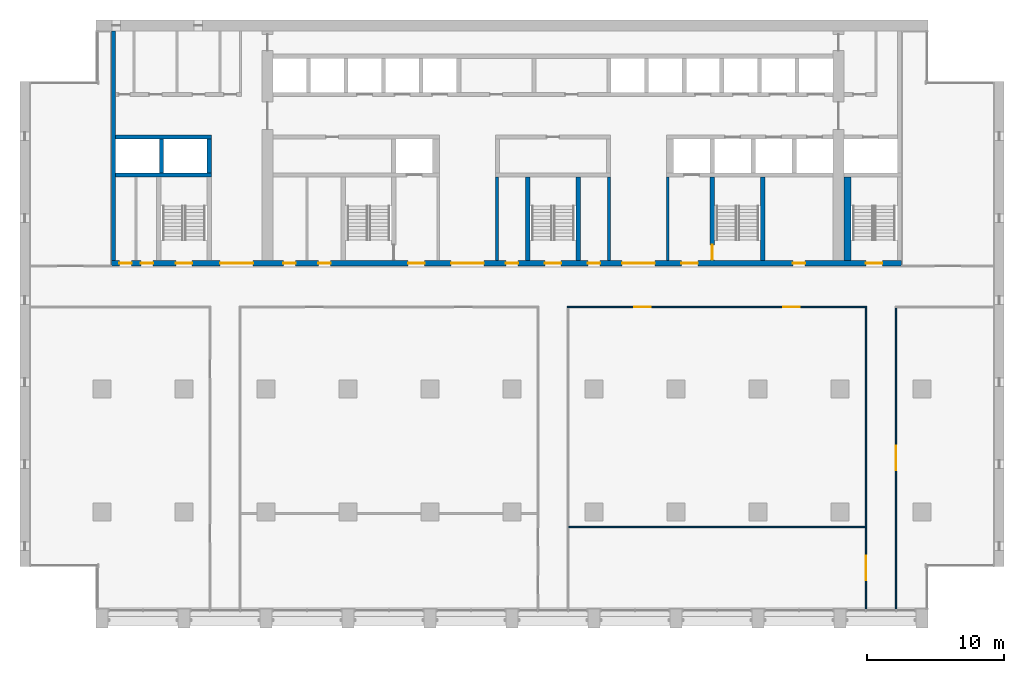
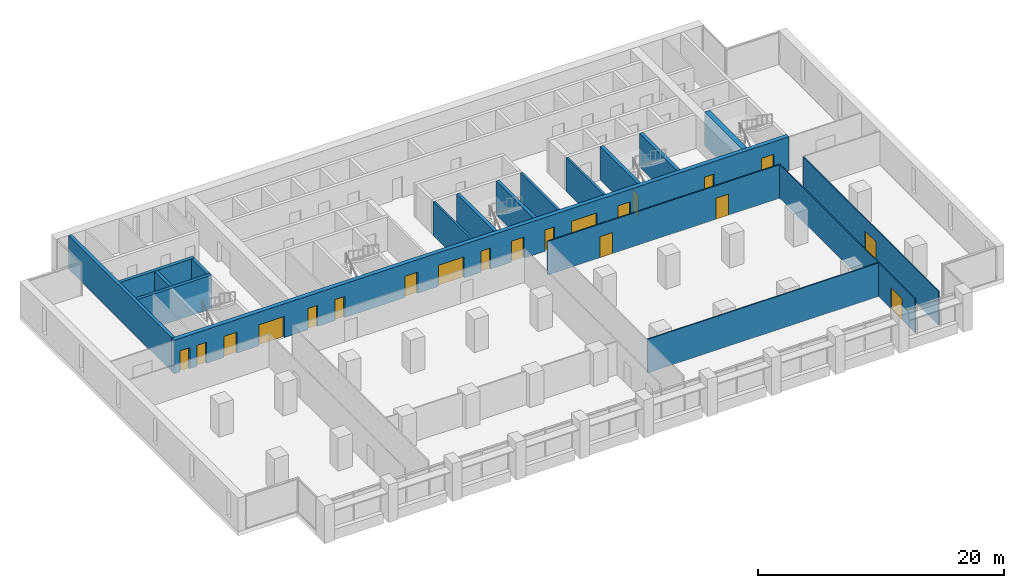
# One storey, part 9 of 15: 20 doors, 18 walls, 20 openings.
"""IFC4 building model written with IfcOpenShell, lengths in metres."""

from ifc_helpers import new_model, si_unit, direction, frame, frame_2d, origin, place, context, subcontext, project, spatial, rectangle, extrude, material, layer, layer_set, type_object, element, fill, save


model = new_model("IFC4")

# Units and contexts
model_context = context("Model", 3, precision=1e-05, world=origin(), true_north=direction((0.0, 1.0)))
body_context = subcontext(model_context, "Body", "Model", "MODEL_VIEW")
ifc_project = project(units=[si_unit("LENGTHUNIT", "METRE"), si_unit("AREAUNIT", "SQUARE_METRE"), si_unit("VOLUMEUNIT", "CUBIC_METRE"), si_unit("PLANEANGLEUNIT", "RADIAN"), si_unit("MASSUNIT", "GRAM", prefix="KILO")], contexts=[model_context])

# Site, building, storey
site_placement = place(None, origin())
site = spatial("IfcSite", under=ifc_project, at=site_placement, CompositionType="ELEMENT")
building_placement = place(site_placement, origin())
building = spatial("IfcBuilding", under=site, at=building_placement, Name="Calvaro Tower", CompositionType="ELEMENT")
storey_placement = place(building_placement, frame((0.0, 0.0, 117.5)))
storey = spatial("IfcBuildingStorey", under=building, at=storey_placement, Name="L29", CompositionType="ELEMENT", Elevation=117.5)

# Walls
ifc_material_1 = material(Name="Blockwork partition", Category="masonry")
ifc_layer_1 = layer(ifc_material_1, 0.199951171875)
ifc_layer_set_1 = layer_set([ifc_layer_1], Name="Blockwork partition")
wall_type_1 = type_object("IfcWallType", Name="Core partition 200 REI 120", PredefinedType="PARTITIONING", material=ifc_layer_set_1)
for number, where, z_axis, x_axis, name in (
    (1, (34.89990234375, 28.39990234375, 0.0), (0.0, 0.0, 1.0), (0.0, 1.0, 0.0), "Core partition"),
    (2, (43.10009765625, 28.39990234375, 0.0), (0.0, 0.0, 1.0), (0.0, 1.0, 0.0), "Core partition"),
    (3, (47.39990234375, 28.39990234375, 0.0), (0.0, 0.0, 1.0), (0.0, 1.0, 0.0), "Core partition"),
):
    element("IfcWall", number, at=place(storey_placement, frame(where, z_axis=z_axis, x_axis=x_axis)), inside=storey, type_object=wall_type_1, Name=name, PredefinedType="PARTITIONING", context=body_context, shape_type="SweptSolid", body=[
        extrude(rectangle(XDim=6.10009765625, YDim=0.199951171875, at=frame_2d((3.050048828125, 0.0))), origin(), (0.0, 0.0, 1.0), 3.35009765625),
    ])
ifc_material_2 = material(Name="Concrete C60/75", Category="concrete")
ifc_layer_2 = layer(ifc_material_2, 0.300048828125)
ifc_layer_set_2 = layer_set([ifc_layer_2], Name="Concrete C60/75")
wall_type_2 = type_object("IfcWallType", Name="Core wall C60/75 300", PredefinedType="SHEAR", material=ifc_layer_set_2)
wall_1_placement = place(storey_placement, frame((6.85009765625, 28.39990234375, 0.0), z_axis=(0.0, 0.0, 1.0), x_axis=(0.0, 1.0, 0.0)))
element("IfcWall", 4, at=wall_1_placement, inside=storey, type_object=wall_type_2, Name="Core wall, boundary", PredefinedType="SHEAR", context=body_context, shape_type="SweptSolid", body=[
    extrude(rectangle(XDim=16.800048828125, YDim=0.300048828125, at=frame_2d((8.39990234375, 0.0))), origin(), (0.0, 0.0, 1.0), 3.35009765625),
])
for number, where, z_axis, x_axis, name in (
    (5, (37.14990234375, 28.39990234375, 0.0), (0.0, 0.0, 1.0), (0.0, 1.0, 0.0), "Core wall, stair enclosure"),
    (6, (40.85009765625, 28.39990234375, 0.0), (0.0, 0.0, 1.0), (0.0, 1.0, 0.0), "Core wall, stair enclosure"),
):
    element("IfcWall", number, at=place(storey_placement, frame(where, z_axis=z_axis, x_axis=x_axis)), inside=storey, type_object=wall_type_2, Name=name, PredefinedType="SHEAR", context=body_context, shape_type="SweptSolid", body=[
        extrude(rectangle(XDim=6.10009765625, YDim=0.300048828125, at=frame_2d((3.050048828125, 0.0))), origin(), (0.0, 0.0, 1.0), 3.35009765625),
    ])

# Wall, opening, door
wall_2_placement = place(storey_placement, frame((50.64990234375, 34.5, 0.0), z_axis=(0.0, 0.0, 1.0), x_axis=(0.0, -1.0, 0.0)))
wall_2 = element("IfcWall", 7, at=wall_2_placement, inside=storey, type_object=wall_type_2, Name="Core wall, stair enclosure", PredefinedType="SHEAR", context=body_context, shape_type="SweptSolid", body=[
    extrude(rectangle(XDim=6.10009765625, YDim=0.300048828125, at=frame_2d((3.050048828125, 0.0))), origin(), (0.0, 0.0, 1.0), 3.35009765625),
])
opening_1_placement = place(wall_2_placement, frame((4.949951171875, 0.0, 0.0)))
opening_1 = element("IfcOpeningElement", 8, at=opening_1_placement, cuts=wall_2, Name="Opening FD11D", PredefinedType="OPENING", context=body_context, shape_type="SweptSolid", body=[
    extrude(rectangle(XDim=1.10009765625, YDim=2.10009765625, at=frame_2d((0.550048828125, 1.050048828125))), frame((0.0, 0.159912109375, 0.0), z_axis=(0.0, -1.0, 0.0), x_axis=(1.0, 0.0, 0.0)), (0.0, 0.0, 1.0), 0.320068359375),
])
ifc_material_3 = material(Name="Steel door set", Category="steel")
door_type_1 = type_object("IfcDoorType", Name="Fire door 1100 FD30S", OperationType="SINGLE_SWING_LEFT", PredefinedType="DOOR", material=ifc_material_3)
door_1_placement = place(opening_1_placement, origin())
door_1 = element("IfcDoor", 9, at=door_1_placement, inside=storey, type_object=door_type_1, Name="Fire door", OperationType="SINGLE_SWING_RIGHT", OverallHeight=2.10009765625, OverallWidth=1.10009765625, PredefinedType="DOOR", context=body_context, shape_type="SweptSolid", body=[
    extrude(rectangle(XDim=1.10009765625, YDim=2.10009765625, at=frame_2d((0.550048828125, 1.050048828125))), frame((0.0, 0.02490234375, 0.0), z_axis=(0.0, -1.0, 0.0), x_axis=(1.0, 0.0, 0.0)), (0.0, 0.0, 1.0), 0.050048828125),
])
fill(opening_1, door_1)

# Walls
wall_3_placement = place(storey_placement, frame((54.35009765625, 28.39990234375, 0.0), z_axis=(0.0, 0.0, 1.0), x_axis=(0.0, 1.0, 0.0)))
element("IfcWall", 10, at=wall_3_placement, inside=storey, type_object=wall_type_2, Name="Core wall, stair enclosure", PredefinedType="SHEAR", context=body_context, shape_type="SweptSolid", body=[
    extrude(rectangle(XDim=6.10009765625, YDim=0.300048828125, at=frame_2d((3.050048828125, 0.0))), origin(), (0.0, 0.0, 1.0), 3.35009765625),
])
for number, where, z_axis, x_axis, name in (
    (11, (7.0, 34.64990234375, 0.0), (0.0, 0.0, 1.0), (1.0, 0.0, 0.0), "Core wall, lift shaft"),
    (12, (7.0, 37.449951171875, 0.0), (0.0, 0.0, 1.0), (1.0, 0.0, 0.0), "Core wall, lift shaft"),
):
    element("IfcWall", number, at=place(storey_placement, frame(where, z_axis=z_axis, x_axis=x_axis)), inside=storey, type_object=wall_type_2, Name=name, PredefinedType="SHEAR", context=body_context, shape_type="SweptSolid", body=[
        extrude(rectangle(XDim=7.0, YDim=0.300048828125, at=frame_2d((3.5, 0.0))), origin(), (0.0, 0.0, 1.0), 3.35009765625),
    ])
for number, where, z_axis, x_axis, name in (
    (13, (13.85009765625, 34.800048828125, 0.0), (0.0, 0.0, 1.0), (0.0, 1.0, 0.0), "Core wall, lift shaft"),
    (14, (10.35009765625, 34.800048828125, 0.0), (0.0, 0.0, 1.0), (0.0, 1.0, 0.0), "Core wall, lift shaft"),
):
    element("IfcWall", number, at=place(storey_placement, frame(where, z_axis=z_axis, x_axis=x_axis)), inside=storey, type_object=wall_type_2, Name=name, PredefinedType="SHEAR", context=body_context, shape_type="SweptSolid", body=[
        extrude(rectangle(XDim=2.5, YDim=0.300048828125, at=frame_2d((1.25, 0.0))), origin(), (0.0, 0.0, 1.0), 3.35009765625),
    ])

# Wall, openings, doors
ifc_material_4 = material(Name="Concrete C60/75", Category="concrete")
ifc_layer_3 = layer(ifc_material_4, 0.39990234375)
ifc_layer_set_3 = layer_set([ifc_layer_3], Name="Concrete C60/75")
wall_type_3 = type_object("IfcWallType", Name="Core wall C60/75 400", PredefinedType="SHEAR", material=ifc_layer_set_3)
wall_4_placement = place(storey_placement, frame((6.699951171875, 28.199951171875, 0.0), z_axis=(0.0, 0.0, 1.0), x_axis=(1.0, 0.0, 0.0)))
wall_4 = element("IfcWall", 15, at=wall_4_placement, inside=storey, type_object=wall_type_3, Name="Core wall, front", PredefinedType="SHEAR", context=body_context, shape_type="SweptSolid", body=[
    extrude(rectangle(XDim=57.800048828125, YDim=0.39990234375, at=frame_2d((28.89990234375, 0.0))), origin(), (0.0, 0.0, 1.0), 3.35009765625),
])
opening_2_placement = place(wall_4_placement, frame((12.5625, 0.0, 0.0)))
opening_2 = element("IfcOpeningElement", 16, at=opening_2_placement, cuts=wall_4, Name="Opening RD9E", PredefinedType="OPENING", context=body_context, shape_type="SweptSolid", body=[
    extrude(rectangle(XDim=0.89990234375, YDim=2.10009765625, at=frame_2d((0.449951171875, 1.050048828125))), frame((0.0, 0.2099609375, 0.0), z_axis=(0.0, -1.0, 0.0), x_axis=(1.0, 0.0, 0.0)), (0.0, 0.0, 1.0), 0.419921875),
])
opening_3_placement = place(wall_4_placement, frame((15.137451171875, 0.0, 0.0)))
opening_3 = element("IfcOpeningElement", 17, at=opening_3_placement, cuts=wall_4, Name="Opening RD9C", PredefinedType="OPENING", context=body_context, shape_type="SweptSolid", body=[
    extrude(rectangle(XDim=0.89990234375, YDim=2.10009765625, at=frame_2d((0.449951171875, 1.050048828125))), frame((0.0, 0.2099609375, 0.0), z_axis=(0.0, -1.0, 0.0), x_axis=(1.0, 0.0, 0.0)), (0.0, 0.0, 1.0), 0.419921875),
])
opening_4_placement = place(wall_4_placement, frame((49.85009765625, 0.0, 0.0)))
opening_4 = element("IfcOpeningElement", 18, at=opening_4_placement, cuts=wall_4, Name="Opening RD9E", PredefinedType="OPENING", context=body_context, shape_type="SweptSolid", body=[
    extrude(rectangle(XDim=0.89990234375, YDim=2.10009765625, at=frame_2d((0.449951171875, 1.050048828125))), frame((0.0, 0.2099609375, 0.0), z_axis=(0.0, -1.0, 0.0), x_axis=(1.0, 0.0, 0.0)), (0.0, 0.0, 1.0), 0.419921875),
])
opening_5_placement = place(wall_4_placement, frame((0.5625, 0.0, 0.0)))
opening_5 = element("IfcOpeningElement", 19, at=opening_5_placement, cuts=wall_4, Name="Opening RD9C", PredefinedType="OPENING", context=body_context, shape_type="SweptSolid", body=[
    extrude(rectangle(XDim=0.89990234375, YDim=2.10009765625, at=frame_2d((0.449951171875, 1.050048828125))), frame((0.0, 0.2099609375, 0.0), z_axis=(0.0, -1.0, 0.0), x_axis=(1.0, 0.0, 0.0)), (0.0, 0.0, 1.0), 0.419921875),
])
opening_6_placement = place(wall_4_placement, frame((2.137451171875, 0.0, 0.0)))
opening_6 = element("IfcOpeningElement", 20, at=opening_6_placement, cuts=wall_4, Name="Opening RD9E", PredefinedType="OPENING", context=body_context, shape_type="SweptSolid", body=[
    extrude(rectangle(XDim=0.89990234375, YDim=2.10009765625, at=frame_2d((0.449951171875, 1.050048828125))), frame((0.0, 0.2099609375, 0.0), z_axis=(0.0, -1.0, 0.0), x_axis=(1.0, 0.0, 0.0)), (0.0, 0.0, 1.0), 0.419921875),
])
opening_7_placement = place(wall_4_placement, frame((4.699951171875, 0.0, 0.0)))
opening_7 = element("IfcOpeningElement", 21, at=opening_7_placement, cuts=wall_4, Name="Opening SD12D", PredefinedType="OPENING", context=body_context, shape_type="SweptSolid", body=[
    extrude(rectangle(XDim=1.199951171875, YDim=2.10009765625, at=frame_2d((0.60009765625, 1.050048828125))), frame((0.0, 0.2099609375, 0.0), z_axis=(0.0, -1.0, 0.0), x_axis=(1.0, 0.0, 0.0)), (0.0, 0.0, 1.0), 0.419921875),
])
opening_8_placement = place(wall_4_placement, frame((31.699951171875, 0.0, 0.0)))
opening_8 = element("IfcOpeningElement", 22, at=opening_8_placement, cuts=wall_4, Name="Opening SD12D", PredefinedType="OPENING", context=body_context, shape_type="SweptSolid", body=[
    extrude(rectangle(XDim=1.199951171875, YDim=2.10009765625, at=frame_2d((0.60009765625, 1.050048828125))), frame((0.0, 0.2099609375, 0.0), z_axis=(0.0, -1.0, 0.0), x_axis=(1.0, 0.0, 0.0)), (0.0, 0.0, 1.0), 0.419921875),
])
opening_9_placement = place(wall_4_placement, frame((55.199951171875, 0.0, 0.0)))
opening_9 = element("IfcOpeningElement", 23, at=opening_9_placement, cuts=wall_4, Name="Opening SD12D", PredefinedType="OPENING", context=body_context, shape_type="SweptSolid", body=[
    extrude(rectangle(XDim=1.199951171875, YDim=2.10009765625, at=frame_2d((0.60009765625, 1.050048828125))), frame((0.0, 0.2099609375, 0.0), z_axis=(0.0, -1.0, 0.0), x_axis=(1.0, 0.0, 0.0)), (0.0, 0.0, 1.0), 0.419921875),
])
opening_10_placement = place(wall_4_placement, frame((21.699951171875, 0.0, 0.0)))
opening_10 = element("IfcOpeningElement", 24, at=opening_10_placement, cuts=wall_4, Name="Opening FD12F", PredefinedType="OPENING", context=body_context, shape_type="SweptSolid", body=[
    extrude(rectangle(XDim=1.199951171875, YDim=2.10009765625, at=frame_2d((0.60009765625, 1.050048828125))), frame((0.0, 0.2099609375, 0.0), z_axis=(0.0, -1.0, 0.0), x_axis=(1.0, 0.0, 0.0)), (0.0, 0.0, 1.0), 0.419921875),
])
opening_11_placement = place(wall_4_placement, frame((41.699951171875, 0.0, 0.0)))
opening_11 = element("IfcOpeningElement", 25, at=opening_11_placement, cuts=wall_4, Name="Opening FD12F", PredefinedType="OPENING", context=body_context, shape_type="SweptSolid", body=[
    extrude(rectangle(XDim=1.199951171875, YDim=2.10009765625, at=frame_2d((0.60009765625, 1.050048828125))), frame((0.0, 0.2099609375, 0.0), z_axis=(0.0, -1.0, 0.0), x_axis=(1.0, 0.0, 0.0)), (0.0, 0.0, 1.0), 0.419921875),
])
opening_12_placement = place(wall_4_placement, frame((24.85009765625, 0.0, 0.0)))
opening_12 = element("IfcOpeningElement", 26, at=opening_12_placement, cuts=wall_4, Name="Opening DD24D", PredefinedType="OPENING", context=body_context, shape_type="SweptSolid", body=[
    extrude(rectangle(XDim=2.39990234375, YDim=2.10009765625, at=frame_2d((1.199951171875, 1.050048828125))), frame((0.0, 0.2099609375, 0.0), z_axis=(0.0, -1.0, 0.0), x_axis=(1.0, 0.0, 0.0)), (0.0, 0.0, 1.0), 0.419921875),
])
opening_13_placement = place(wall_4_placement, frame((37.35009765625, 0.0, 0.0)))
opening_13 = element("IfcOpeningElement", 27, at=opening_13_placement, cuts=wall_4, Name="Opening DD24D", PredefinedType="OPENING", context=body_context, shape_type="SweptSolid", body=[
    extrude(rectangle(XDim=2.39990234375, YDim=2.10009765625, at=frame_2d((1.199951171875, 1.050048828125))), frame((0.0, 0.2099609375, 0.0), z_axis=(0.0, -1.0, 0.0), x_axis=(1.0, 0.0, 0.0)), (0.0, 0.0, 1.0), 0.419921875),
])
opening_14_placement = place(wall_4_placement, frame((7.949951171875, 0.0, 0.0)))
opening_14 = element("IfcOpeningElement", 28, at=opening_14_placement, cuts=wall_4, Name="Opening DD24D", PredefinedType="OPENING", context=body_context, shape_type="SweptSolid", body=[
    extrude(rectangle(XDim=2.39990234375, YDim=2.10009765625, at=frame_2d((1.199951171875, 1.050048828125))), frame((0.0, 0.2099609375, 0.0), z_axis=(0.0, -1.0, 0.0), x_axis=(1.0, 0.0, 0.0)), (0.0, 0.0, 1.0), 0.419921875),
])
opening_15_placement = place(wall_4_placement, frame((28.85009765625, 0.0, 0.0)))
opening_15 = element("IfcOpeningElement", 29, at=opening_15_placement, cuts=wall_4, Name="Opening RD9E", PredefinedType="OPENING", context=body_context, shape_type="SweptSolid", body=[
    extrude(rectangle(XDim=0.89990234375, YDim=2.10009765625, at=frame_2d((0.449951171875, 1.050048828125))), frame((0.0, 0.2099609375, 0.0), z_axis=(0.0, -1.0, 0.0), x_axis=(1.0, 0.0, 0.0)), (0.0, 0.0, 1.0), 0.419921875),
])
opening_16_placement = place(wall_4_placement, frame((34.85009765625, 0.0, 0.0)))
opening_16 = element("IfcOpeningElement", 30, at=opening_16_placement, cuts=wall_4, Name="Opening RD9E", PredefinedType="OPENING", context=body_context, shape_type="SweptSolid", body=[
    extrude(rectangle(XDim=0.89990234375, YDim=2.10009765625, at=frame_2d((0.449951171875, 1.050048828125))), frame((0.0, 0.2099609375, 0.0), z_axis=(0.0, -1.0, 0.0), x_axis=(1.0, 0.0, 0.0)), (0.0, 0.0, 1.0), 0.419921875),
])
ifc_material_5 = material(Name="Steel door set", Category="steel")
door_type_2 = type_object("IfcDoorType", Name="Fire door 1200 FD60S", OperationType="SINGLE_SWING_LEFT", PredefinedType="DOOR", material=ifc_material_5)
door_2_placement = place(opening_10_placement, origin())
door_2 = element("IfcDoor", 31, at=door_2_placement, inside=storey, type_object=door_type_2, Name="Fire door", OperationType="SINGLE_SWING_LEFT", OverallHeight=2.10009765625, OverallWidth=1.199951171875, PredefinedType="DOOR", context=body_context, shape_type="SweptSolid", body=[
    extrude(rectangle(XDim=1.199951171875, YDim=2.10009765625, at=frame_2d((0.60009765625, 1.050048828125))), frame((0.0, 0.02490234375, 0.0), z_axis=(0.0, -1.0, 0.0), x_axis=(1.0, 0.0, 0.0)), (0.0, 0.0, 1.0), 0.050048828125),
])
fill(opening_10, door_2)
door_3_placement = place(opening_11_placement, origin())
door_3 = element("IfcDoor", 32, at=door_3_placement, inside=storey, type_object=door_type_2, Name="Fire door", OperationType="SINGLE_SWING_LEFT", OverallHeight=2.10009765625, OverallWidth=1.199951171875, PredefinedType="DOOR", context=body_context, shape_type="SweptSolid", body=[
    extrude(rectangle(XDim=1.199951171875, YDim=2.10009765625, at=frame_2d((0.60009765625, 1.050048828125))), frame((0.0, 0.02490234375, 0.0), z_axis=(0.0, -1.0, 0.0), x_axis=(1.0, 0.0, 0.0)), (0.0, 0.0, 1.0), 0.050048828125),
])
fill(opening_11, door_3)
ifc_material_6 = material(Name="Steel door set", Category="steel")
door_type_3 = type_object("IfcDoorType", Name="Lobby double door 2400 FD30S", OperationType="DOUBLE_DOOR_SINGLE_SWING", PredefinedType="DOOR", material=ifc_material_6)
door_4_placement = place(opening_12_placement, origin())
door_4 = element("IfcDoor", 33, at=door_4_placement, inside=storey, type_object=door_type_3, Name="Lobby double door", OperationType="DOUBLE_DOOR_SINGLE_SWING", OverallHeight=2.10009765625, OverallWidth=2.39990234375, PredefinedType="DOOR", context=body_context, shape_type="SweptSolid", body=[
    extrude(rectangle(XDim=2.39990234375, YDim=2.10009765625, at=frame_2d((1.199951171875, 1.050048828125))), frame((0.0, 0.02490234375, 0.0), z_axis=(0.0, -1.0, 0.0), x_axis=(1.0, 0.0, 0.0)), (0.0, 0.0, 1.0), 0.050048828125),
])
fill(opening_12, door_4)
door_5_placement = place(opening_13_placement, origin())
door_5 = element("IfcDoor", 34, at=door_5_placement, inside=storey, type_object=door_type_3, Name="Lobby double door", OperationType="DOUBLE_DOOR_SINGLE_SWING", OverallHeight=2.10009765625, OverallWidth=2.39990234375, PredefinedType="DOOR", context=body_context, shape_type="SweptSolid", body=[
    extrude(rectangle(XDim=2.39990234375, YDim=2.10009765625, at=frame_2d((1.199951171875, 1.050048828125))), frame((0.0, 0.02490234375, 0.0), z_axis=(0.0, -1.0, 0.0), x_axis=(1.0, 0.0, 0.0)), (0.0, 0.0, 1.0), 0.050048828125),
])
fill(opening_13, door_5)
door_6_placement = place(opening_14_placement, origin())
door_6 = element("IfcDoor", 35, at=door_6_placement, inside=storey, type_object=door_type_3, Name="Lobby double door", OperationType="DOUBLE_DOOR_SINGLE_SWING", OverallHeight=2.10009765625, OverallWidth=2.39990234375, PredefinedType="DOOR", context=body_context, shape_type="SweptSolid", body=[
    extrude(rectangle(XDim=2.39990234375, YDim=2.10009765625, at=frame_2d((1.199951171875, 1.050048828125))), frame((0.0, 0.02490234375, 0.0), z_axis=(0.0, -1.0, 0.0), x_axis=(1.0, 0.0, 0.0)), (0.0, 0.0, 1.0), 0.050048828125),
])
fill(opening_14, door_6)
ifc_material_7 = material(Name="Steel door set", Category="steel")
door_type_4 = type_object("IfcDoorType", Name="Room door 900 FD30", OperationType="SINGLE_SWING_LEFT", PredefinedType="DOOR", material=ifc_material_7)
door_7_placement = place(opening_3_placement, origin())
door_7 = element("IfcDoor", 36, at=door_7_placement, inside=storey, type_object=door_type_4, Name="Room door", OperationType="SINGLE_SWING_RIGHT", OverallHeight=2.10009765625, OverallWidth=0.89990234375, PredefinedType="DOOR", context=body_context, shape_type="SweptSolid", body=[
    extrude(rectangle(XDim=0.89990234375, YDim=2.10009765625, at=frame_2d((0.449951171875, 1.050048828125))), frame((0.0, 0.02490234375, 0.0), z_axis=(0.0, -1.0, 0.0), x_axis=(1.0, 0.0, 0.0)), (0.0, 0.0, 1.0), 0.050048828125),
])
fill(opening_3, door_7)
door_8_placement = place(opening_5_placement, origin())
door_8 = element("IfcDoor", 37, at=door_8_placement, inside=storey, type_object=door_type_4, Name="Room door", OperationType="SINGLE_SWING_LEFT", OverallHeight=2.10009765625, OverallWidth=0.89990234375, PredefinedType="DOOR", context=body_context, shape_type="SweptSolid", body=[
    extrude(rectangle(XDim=0.89990234375, YDim=2.10009765625, at=frame_2d((0.449951171875, 1.050048828125))), frame((0.0, 0.02490234375, 0.0), z_axis=(0.0, -1.0, 0.0), x_axis=(1.0, 0.0, 0.0)), (0.0, 0.0, 1.0), 0.050048828125),
])
fill(opening_5, door_8)
ifc_material_8 = material(Name="Steel door set", Category="steel")
door_type_5 = type_object("IfcDoorType", Name="Room door 900 FD60", OperationType="SINGLE_SWING_LEFT", PredefinedType="DOOR", material=ifc_material_8)
door_9_placement = place(opening_2_placement, origin())
door_9 = element("IfcDoor", 38, at=door_9_placement, inside=storey, type_object=door_type_5, Name="Room door", OperationType="SINGLE_SWING_LEFT", OverallHeight=2.10009765625, OverallWidth=0.89990234375, PredefinedType="DOOR", context=body_context, shape_type="SweptSolid", body=[
    extrude(rectangle(XDim=0.89990234375, YDim=2.10009765625, at=frame_2d((0.449951171875, 1.050048828125))), frame((0.0, 0.02490234375, 0.0), z_axis=(0.0, -1.0, 0.0), x_axis=(1.0, 0.0, 0.0)), (0.0, 0.0, 1.0), 0.050048828125),
])
fill(opening_2, door_9)
door_10_placement = place(opening_4_placement, origin())
door_10 = element("IfcDoor", 39, at=door_10_placement, inside=storey, type_object=door_type_5, Name="Room door", OperationType="SINGLE_SWING_LEFT", OverallHeight=2.10009765625, OverallWidth=0.89990234375, PredefinedType="DOOR", context=body_context, shape_type="SweptSolid", body=[
    extrude(rectangle(XDim=0.89990234375, YDim=2.10009765625, at=frame_2d((0.449951171875, 1.050048828125))), frame((0.0, 0.02490234375, 0.0), z_axis=(0.0, -1.0, 0.0), x_axis=(1.0, 0.0, 0.0)), (0.0, 0.0, 1.0), 0.050048828125),
])
fill(opening_4, door_10)
door_11_placement = place(opening_6_placement, origin())
door_11 = element("IfcDoor", 40, at=door_11_placement, inside=storey, type_object=door_type_5, Name="Room door", OperationType="SINGLE_SWING_LEFT", OverallHeight=2.10009765625, OverallWidth=0.89990234375, PredefinedType="DOOR", context=body_context, shape_type="SweptSolid", body=[
    extrude(rectangle(XDim=0.89990234375, YDim=2.10009765625, at=frame_2d((0.449951171875, 1.050048828125))), frame((0.0, 0.02490234375, 0.0), z_axis=(0.0, -1.0, 0.0), x_axis=(1.0, 0.0, 0.0)), (0.0, 0.0, 1.0), 0.050048828125),
])
fill(opening_6, door_11)
door_12_placement = place(opening_15_placement, origin())
door_12 = element("IfcDoor", 41, at=door_12_placement, inside=storey, type_object=door_type_5, Name="Room door", OperationType="SINGLE_SWING_LEFT", OverallHeight=2.10009765625, OverallWidth=0.89990234375, PredefinedType="DOOR", context=body_context, shape_type="SweptSolid", body=[
    extrude(rectangle(XDim=0.89990234375, YDim=2.10009765625, at=frame_2d((0.449951171875, 1.050048828125))), frame((0.0, 0.02490234375, 0.0), z_axis=(0.0, -1.0, 0.0), x_axis=(1.0, 0.0, 0.0)), (0.0, 0.0, 1.0), 0.050048828125),
])
fill(opening_15, door_12)
door_13_placement = place(opening_16_placement, origin())
door_13 = element("IfcDoor", 42, at=door_13_placement, inside=storey, type_object=door_type_5, Name="Room door", OperationType="SINGLE_SWING_LEFT", OverallHeight=2.10009765625, OverallWidth=0.89990234375, PredefinedType="DOOR", context=body_context, shape_type="SweptSolid", body=[
    extrude(rectangle(XDim=0.89990234375, YDim=2.10009765625, at=frame_2d((0.449951171875, 1.050048828125))), frame((0.0, 0.02490234375, 0.0), z_axis=(0.0, -1.0, 0.0), x_axis=(1.0, 0.0, 0.0)), (0.0, 0.0, 1.0), 0.050048828125),
])
fill(opening_16, door_13)
ifc_material_9 = material(Name="Steel door set", Category="steel")
door_type_6 = type_object("IfcDoorType", Name="Stair door 1200 FD30S", OperationType="SINGLE_SWING_LEFT", PredefinedType="DOOR", material=ifc_material_9)
door_14_placement = place(opening_7_placement, origin())
door_14 = element("IfcDoor", 43, at=door_14_placement, inside=storey, type_object=door_type_6, Name="Stair door", OperationType="SINGLE_SWING_LEFT", OverallHeight=2.10009765625, OverallWidth=1.199951171875, PredefinedType="DOOR", context=body_context, shape_type="SweptSolid", body=[
    extrude(rectangle(XDim=1.199951171875, YDim=2.10009765625, at=frame_2d((0.60009765625, 1.050048828125))), frame((0.0, 0.02490234375, 0.0), z_axis=(0.0, -1.0, 0.0), x_axis=(1.0, 0.0, 0.0)), (0.0, 0.0, 1.0), 0.050048828125),
])
fill(opening_7, door_14)
door_15_placement = place(opening_8_placement, origin())
door_15 = element("IfcDoor", 44, at=door_15_placement, inside=storey, type_object=door_type_6, Name="Stair door", OperationType="SINGLE_SWING_LEFT", OverallHeight=2.10009765625, OverallWidth=1.199951171875, PredefinedType="DOOR", context=body_context, shape_type="SweptSolid", body=[
    extrude(rectangle(XDim=1.199951171875, YDim=2.10009765625, at=frame_2d((0.60009765625, 1.050048828125))), frame((0.0, 0.02490234375, 0.0), z_axis=(0.0, -1.0, 0.0), x_axis=(1.0, 0.0, 0.0)), (0.0, 0.0, 1.0), 0.050048828125),
])
fill(opening_8, door_15)
door_16_placement = place(opening_9_placement, origin())
door_16 = element("IfcDoor", 45, at=door_16_placement, inside=storey, type_object=door_type_6, Name="Stair door", OperationType="SINGLE_SWING_LEFT", OverallHeight=2.10009765625, OverallWidth=1.199951171875, PredefinedType="DOOR", context=body_context, shape_type="SweptSolid", body=[
    extrude(rectangle(XDim=1.199951171875, YDim=2.10009765625, at=frame_2d((0.60009765625, 1.050048828125))), frame((0.0, 0.02490234375, 0.0), z_axis=(0.0, -1.0, 0.0), x_axis=(1.0, 0.0, 0.0)), (0.0, 0.0, 1.0), 0.050048828125),
])
fill(opening_9, door_16)

# Walls
ifc_material_10 = material(Name="Concrete C60/75", Category="concrete")
ifc_layer_4 = layer(ifc_material_10, 0.5)
ifc_layer_set_4 = layer_set([ifc_layer_4], Name="Concrete C60/75")
wall_type_4 = type_object("IfcWallType", Name="Core wall C60/75 500", PredefinedType="SHEAR", material=ifc_layer_set_4)
wall_5_placement = place(storey_placement, frame((60.550048828125, 28.39990234375, 0.0), z_axis=(0.0, 0.0, 1.0), x_axis=(0.0, 1.0, 0.0)))
element("IfcWall", 46, at=wall_5_placement, inside=storey, type_object=wall_type_4, Name="Core wall, stair enclosure", PredefinedType="SHEAR", context=body_context, shape_type="SweptSolid", body=[
    extrude(rectangle(XDim=6.10009765625, YDim=0.5, at=frame_2d((3.050048828125, 0.0))), origin(), (0.0, 0.0, 1.0), 3.35009765625),
])
ifc_material_11 = material(Name="Plasterboard on steel studs", Category="steel")
ifc_layer_5 = layer(ifc_material_11, 0.10009765625)
ifc_layer_set_5 = layer_set([ifc_layer_5], Name="Plasterboard on steel studs")
wall_type_5 = type_object("IfcWallType", Name="Partition 100", PredefinedType="PARTITIONING", material=ifc_layer_set_5)
wall_6_placement = place(storey_placement, frame((40.14990234375, 8.89990234375, 0.0), z_axis=(0.0, 0.0, 1.0), x_axis=(1.0, 0.0, 0.0)))
element("IfcWall", 47, at=wall_6_placement, inside=storey, type_object=wall_type_5, Name="Partition T18.W001", PredefinedType="PARTITIONING", context=body_context, shape_type="SweptSolid", body=[
    extrude(rectangle(XDim=21.7001953125, YDim=0.10009765625, at=frame_2d((10.85009765625, 0.0))), origin(), (0.0, 0.0, 1.0), 3.35009765625),
])

# Wall, openings, doors
wall_7_placement = place(storey_placement, frame((40.050048828125, 25.0, 0.0), z_axis=(0.0, 0.0, 1.0), x_axis=(1.0, 0.0, 0.0)))
wall_7 = element("IfcWall", 48, at=wall_7_placement, inside=storey, type_object=wall_type_5, Name="Partition T18.W009", PredefinedType="PARTITIONING", context=body_context, shape_type="SweptSolid", body=[
    extrude(rectangle(XDim=21.89990234375, YDim=0.10009765625, at=frame_2d((10.949951171875, 0.0))), origin(), (0.0, 0.0, 1.0), 3.35009765625),
])
opening_17_placement = place(wall_7_placement, frame((4.89990234375, 0.0, 0.0)))
opening_17 = element("IfcOpeningElement", 49, at=opening_17_placement, cuts=wall_7, Name="Opening T18.007", PredefinedType="OPENING", context=body_context, shape_type="SweptSolid", body=[
    extrude(rectangle(XDim=1.199951171875, YDim=2.10009765625, at=frame_2d((0.60009765625, 1.050048828125))), frame((0.0, 0.06005859375, 0.0), z_axis=(0.0, -1.0, 0.0), x_axis=(1.0, 0.0, 0.0)), (0.0, 0.0, 1.0), 0.1201171875),
])
opening_18_placement = place(wall_7_placement, frame((15.800048828125, 0.0, 0.0)))
opening_18 = element("IfcOpeningElement", 50, at=opening_18_placement, cuts=wall_7, Name="Opening T18.008", PredefinedType="OPENING", context=body_context, shape_type="SweptSolid", body=[
    extrude(rectangle(XDim=1.199951171875, YDim=2.10009765625, at=frame_2d((0.60009765625, 1.050048828125))), frame((0.0, 0.06005859375, 0.0), z_axis=(0.0, -1.0, 0.0), x_axis=(1.0, 0.0, 0.0)), (0.0, 0.0, 1.0), 0.1201171875),
])
ifc_material_12 = material(Name="Timber", Category="wood")
door_type_7 = type_object("IfcDoorType", Name="Internal single door 1200 x 2100", OperationType="SINGLE_SWING_LEFT", PredefinedType="DOOR", material=ifc_material_12)
door_17_placement = place(opening_17_placement, origin())
door_17 = element("IfcDoor", 51, at=door_17_placement, inside=storey, type_object=door_type_7, Name="Door T18.007", OperationType="SINGLE_SWING_LEFT", OverallHeight=2.10009765625, OverallWidth=1.199951171875, PredefinedType="DOOR", context=body_context, shape_type="SweptSolid", body=[
    extrude(rectangle(XDim=1.199951171875, YDim=2.10009765625, at=frame_2d((0.60009765625, 1.050048828125))), frame((0.0, 0.02490234375, 0.0), z_axis=(0.0, -1.0, 0.0), x_axis=(1.0, 0.0, 0.0)), (0.0, 0.0, 1.0), 0.050048828125),
])
fill(opening_17, door_17)
door_18_placement = place(opening_18_placement, origin())
door_18 = element("IfcDoor", 52, at=door_18_placement, inside=storey, type_object=door_type_7, Name="Door T18.008", OperationType="SINGLE_SWING_RIGHT", OverallHeight=2.10009765625, OverallWidth=1.199951171875, PredefinedType="DOOR", context=body_context, shape_type="SweptSolid", body=[
    extrude(rectangle(XDim=1.199951171875, YDim=2.10009765625, at=frame_2d((0.60009765625, 1.050048828125))), frame((0.0, 0.02490234375, 0.0), z_axis=(0.0, -1.0, 0.0), x_axis=(1.0, 0.0, 0.0)), (0.0, 0.0, 1.0), 0.050048828125),
])
fill(opening_18, door_18)

# Wall, opening, door
wall_8_placement = place(storey_placement, frame((61.89990234375, 2.89990234375, 0.0), z_axis=(0.0, 0.0, 1.0), x_axis=(0.0, 1.0, 0.0)))
wall_8 = element("IfcWall", 53, at=wall_8_placement, inside=storey, type_object=wall_type_5, Name="Partition T18.W017", PredefinedType="PARTITIONING", context=body_context, shape_type="SweptSolid", body=[
    extrude(rectangle(XDim=22.050048828125, YDim=0.10009765625, at=frame_2d((11.02490234375, 0.0))), origin(), (0.0, 0.0, 1.0), 3.35009765625),
])
opening_19_placement = place(wall_8_placement, frame((2.10009765625, 0.0, 0.0)))
opening_19 = element("IfcOpeningElement", 54, at=opening_19_placement, cuts=wall_8, Name="Opening T18.001", PredefinedType="OPENING", context=body_context, shape_type="SweptSolid", body=[
    extrude(rectangle(XDim=1.800048828125, YDim=2.10009765625, at=frame_2d((0.89990234375, 1.050048828125))), frame((0.0, 0.06005859375, 0.0), z_axis=(0.0, -1.0, 0.0), x_axis=(1.0, 0.0, 0.0)), (0.0, 0.0, 1.0), 0.1201171875),
])
ifc_material_13 = material(Name="Timber", Category="wood")
door_type_8 = type_object("IfcDoorType", Name="Internal double door 1800 x 2100", OperationType="DOUBLE_DOOR_SINGLE_SWING", PredefinedType="DOOR", material=ifc_material_13)
door_19_placement = place(opening_19_placement, origin())
door_19 = element("IfcDoor", 55, at=door_19_placement, inside=storey, type_object=door_type_8, Name="Door T18.001", OperationType="DOUBLE_DOOR_SINGLE_SWING", OverallHeight=2.10009765625, OverallWidth=1.800048828125, PredefinedType="DOOR", context=body_context, shape_type="SweptSolid", body=[
    extrude(rectangle(XDim=1.800048828125, YDim=2.10009765625, at=frame_2d((0.89990234375, 1.050048828125))), frame((0.0, 0.02490234375, 0.0), z_axis=(0.0, -1.0, 0.0), x_axis=(1.0, 0.0, 0.0)), (0.0, 0.0, 1.0), 0.050048828125),
])
fill(opening_19, door_19)

wall_9_placement = place(storey_placement, frame((64.10009765625, 2.89990234375, 0.0), z_axis=(0.0, 0.0, 1.0), x_axis=(0.0, 1.0, 0.0)))
wall_9 = element("IfcWall", 56, at=wall_9_placement, inside=storey, type_object=wall_type_5, Name="Partition T18.W018", PredefinedType="PARTITIONING", context=body_context, shape_type="SweptSolid", body=[
    extrude(rectangle(XDim=22.050048828125, YDim=0.10009765625, at=frame_2d((11.02490234375, 0.0))), origin(), (0.0, 0.0, 1.0), 3.35009765625),
])
opening_20_placement = place(wall_9_placement, frame((10.14990234375, 0.0, 0.0)))
opening_20 = element("IfcOpeningElement", 57, at=opening_20_placement, cuts=wall_9, Name="Opening T18.006", PredefinedType="OPENING", context=body_context, shape_type="SweptSolid", body=[
    extrude(rectangle(XDim=1.800048828125, YDim=2.10009765625, at=frame_2d((0.89990234375, 1.050048828125))), frame((0.0, 0.06005859375, 0.0), z_axis=(0.0, -1.0, 0.0), x_axis=(1.0, 0.0, 0.0)), (0.0, 0.0, 1.0), 0.1201171875),
])
door_20_placement = place(opening_20_placement, origin())
door_20 = element("IfcDoor", 58, at=door_20_placement, inside=storey, type_object=door_type_8, Name="Door T18.006", OperationType="DOUBLE_DOOR_SINGLE_SWING", OverallHeight=2.10009765625, OverallWidth=1.800048828125, PredefinedType="DOOR", context=body_context, shape_type="SweptSolid", body=[
    extrude(rectangle(XDim=1.800048828125, YDim=2.10009765625, at=frame_2d((0.89990234375, 1.050048828125))), frame((0.0, 0.02490234375, 0.0), z_axis=(0.0, -1.0, 0.0), x_axis=(1.0, 0.0, 0.0)), (0.0, 0.0, 1.0), 0.050048828125),
])
fill(opening_20, door_20)

save(model, "model.ifc")
